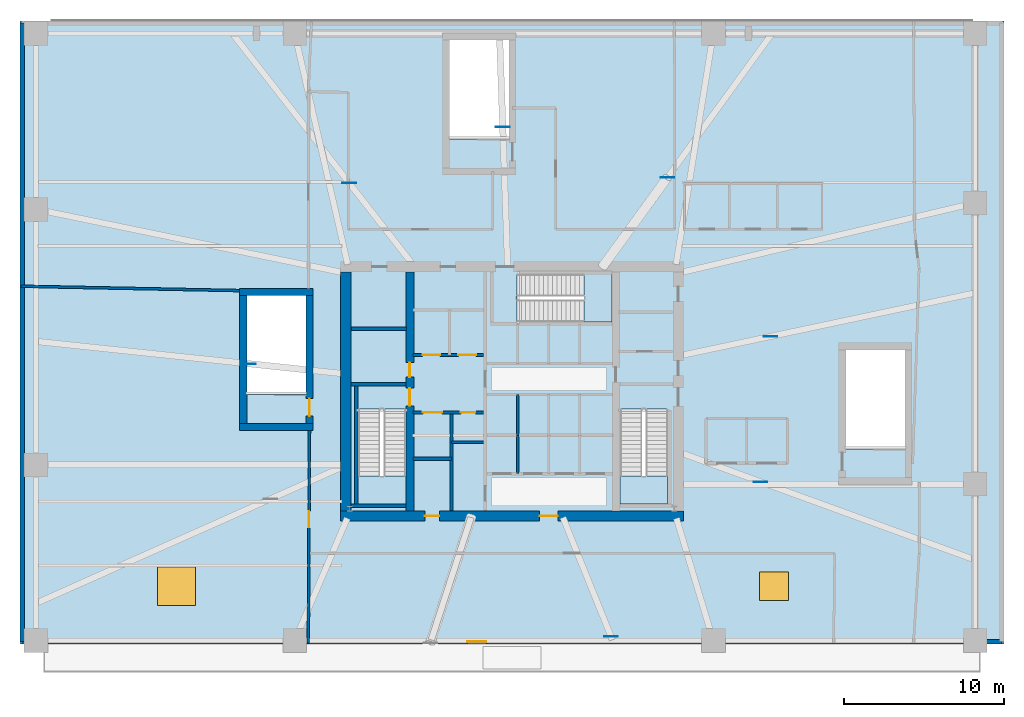
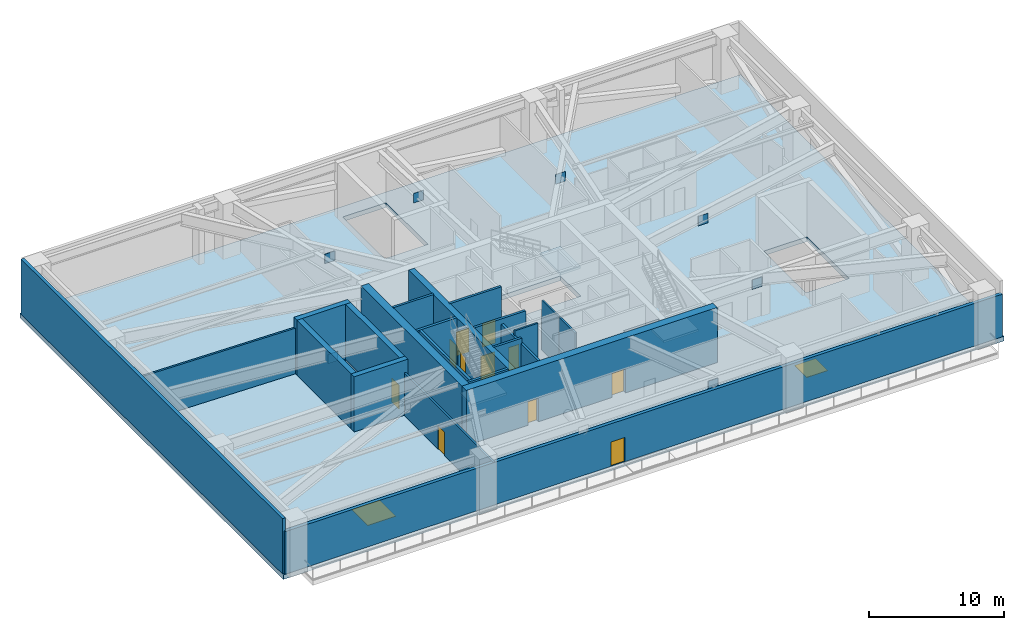
# One storey, part 4 of 10: 22 walls, 11 doors, 7 plates, 4 slabs, 2 windows, 13 openings, 3 elements without a shape of their own.
"""IFC4 building model written with IfcOpenShell, lengths in metres."""

from ifc_helpers import new_model, si_unit, direction, frame, frame_2d, origin, origin_2d, place, context, subcontext, project, spatial, polyline, rectangle, outline, extrude, material, layer, layer_set, type_object, element, fill, aggregate, save


model = new_model("IFC4")

# Units and contexts
model_context = context("Model", 3, precision=1e-05, world=origin(), true_north=direction((0.0, 1.0)))
body_context = subcontext(model_context, "Body", "Model", "MODEL_VIEW")
ifc_project = project(units=[si_unit("LENGTHUNIT", "METRE"), si_unit("AREAUNIT", "SQUARE_METRE"), si_unit("VOLUMEUNIT", "CUBIC_METRE"), si_unit("PLANEANGLEUNIT", "RADIAN"), si_unit("MASSUNIT", "GRAM", prefix="KILO")], contexts=[model_context])

# Site, building, storey
site_placement = place(None, origin())
site = spatial("IfcSite", under=ifc_project, at=site_placement, CompositionType="ELEMENT")
building_placement = place(site_placement, origin())
building = spatial("IfcBuilding", under=site, at=building_placement, Name="Qarnah Convention Tower", CompositionType="ELEMENT")
storey_placement = place(building_placement, frame((0.0, 0.0, 21.60009765625)))
storey = spatial("IfcBuildingStorey", under=building, at=storey_placement, Name="L04", CompositionType="ELEMENT", Elevation=21.60009765625)

# Plates
ifc_material_1 = material(Name="Structural steel S355JR", Category="steel")
ifc_layer_1 = layer(ifc_material_1, 0.031982421875)
ifc_layer_set_1 = layer_set([ifc_layer_1], Name="Structural steel S355JR")
plate_type = type_object("IfcPlateType", Name="PLT-GUSSET-32", PredefinedType="USERDEFINED", material=ifc_layer_set_1)
for number, where, z_axis, x_axis, name in (
    (1, (53.387939453125, 29.841064453125, 3.574951171875), (0.0, 0.0, 1.0), (1.0, 0.0, 0.0), "L04 transfer node gusset plate PC-Z1-01"),
    (2, (46.927978515625, 39.7890625, 3.574951171875), (0.0, 0.0, 1.0), (1.0, 0.0, 0.0), "L04 transfer node gusset plate PC-Z1-02"),
    (3, (36.6220703125, 42.93994140625, 3.574951171875), (0.0, 0.0, 1.0), (1.0, 0.0, 0.0), "L04 transfer node gusset plate PC-Z1-03"),
    (4, (27.010986328125, 39.44189453125, 3.574951171875), (0.0, 0.0, 1.0), (1.0, 0.0, 0.0), "L04 transfer node gusset plate PC-Z1-04"),
    (5, (20.740966796875, 28.1298828125, 3.574951171875), (0.0, 0.0, 1.0), (1.0, 0.0, 0.0), "L04 transfer node gusset plate PC-Z1-05"),
    (6, (43.39990234375, 11.054931640625, 3.574951171875), (0.0, 0.0, 1.0), (1.0, 0.0, 0.0), "L04 transfer node gusset plate PC-Z1-08"),
    (7, (52.751953125, 20.739990234375, 3.574951171875), (0.0, 0.0, 1.0), (1.0, 0.0, 0.0), "L04 transfer node gusset plate PC-Z1-09"),
):
    element("IfcPlate", number, at=place(storey_placement, frame(where, z_axis=z_axis, x_axis=x_axis)), inside=storey, type_object=plate_type, Name=name, ObjectType="GUSSET_PLATE", PredefinedType="USERDEFINED", context=body_context, shape_type="SweptSolid", body=[
        extrude(rectangle(XDim=0.85009765625, YDim=0.031982421875, at=origin_2d()), origin(), (0.0, 0.0, 1.0), 0.85009765625),
    ])

# Stair, slab
ifc_material_2 = material(Name="Concrete C50/60", Category="concrete")
stair_type = type_object("IfcStairType", Name="STR-POD", PredefinedType="HALF_TURN_STAIR", material=ifc_material_2)
stair_1_placement = place(storey_placement, origin())
stair_1 = element("IfcStair", 8, at=stair_1_placement, inside=storey, type_object=stair_type, Name="L04 Core exit stair ST-1", PredefinedType="HALF_TURN_STAIR")
ifc_layer_2 = layer(ifc_material_2, 0.199951171875)
ifc_layer_set_2 = layer_set([ifc_layer_2], Name="Concrete C50/60")
slab_type_1 = type_object("IfcSlabType", Name="SLB-LANDING-200", PredefinedType="LANDING", material=ifc_layer_set_2)
slab_1_placement = place(storey_placement, frame((0.0, 0.0, 2.5)))
slab_1 = element("IfcSlab", 9, at=slab_1_placement, type_object=slab_type_1, Name="ST-1 landing 1", PredefinedType="LANDING", context=body_context, shape_type="SweptSolid", body=[
    extrude(outline(polyline([(27.550048828125, 21.10009765625), (27.550048828125, 19.35009765625), (30.550048828125, 19.35009765625), (30.550048828125, 21.10009765625), (27.550048828125, 21.10009765625)])), origin(), (0.0, 0.0, 1.0), 0.199951171875),
])
aggregate(stair_1, [slab_1])

stair_2_placement = place(storey_placement, origin())
stair_2 = element("IfcStair", 10, at=stair_2_placement, inside=storey, type_object=stair_type, Name="L04 Core exit stair ST-2", PredefinedType="HALF_TURN_STAIR")
slab_2_placement = place(storey_placement, frame((0.0, 0.0, 2.5)))
slab_2 = element("IfcSlab", 11, at=slab_2_placement, type_object=slab_type_1, Name="ST-2 landing 1", PredefinedType="LANDING", context=body_context, shape_type="SweptSolid", body=[
    extrude(outline(polyline([(43.949951171875, 21.10009765625), (43.949951171875, 19.35009765625), (46.949951171875, 19.35009765625), (46.949951171875, 21.10009765625), (43.949951171875, 21.10009765625)])), origin(), (0.0, 0.0, 1.0), 0.199951171875),
])
aggregate(stair_2, [slab_2])

stair_3_placement = place(storey_placement, origin())
stair_3 = element("IfcStair", 12, at=stair_3_placement, inside=storey, type_object=stair_type, Name="L04 Core exit stair ST-3", PredefinedType="HALF_TURN_STAIR")
slab_3_placement = place(storey_placement, frame((0.0, 0.0, 2.5)))
slab_3 = element("IfcSlab", 13, at=slab_3_placement, type_object=slab_type_1, Name="ST-3 landing 1", PredefinedType="LANDING", context=body_context, shape_type="SweptSolid", body=[
    extrude(outline(polyline([(41.699951171875, 30.75), (43.449951171875, 30.75), (43.449951171875, 33.75), (41.699951171875, 33.75), (41.699951171875, 30.75)])), origin(), (0.0, 0.0, 1.0), 0.199951171875),
])
aggregate(stair_3, [slab_3])

# Slab, openings, windows
ifc_layer_3 = layer(ifc_material_2, 0.419921875)
ifc_layer_set_3 = layer_set([ifc_layer_3], Name="Concrete C50/60")
slab_type_2 = type_object("IfcSlabType", Name="SLB-TRF-420", PredefinedType="FLOOR", material=ifc_layer_set_3)
slab_4_placement = place(storey_placement, frame((0.0, 0.0, -0.420166015625)))
slab_4 = element("IfcSlab", 14, at=slab_4_placement, inside=storey, type_object=slab_type_2, Name="L04 structural floor slab", PredefinedType="FLOOR", context=body_context, shape_type="SweptSolid", body=[
    extrude(outline(polyline([(6.39990234375, 10.60009765625), (68.0, 10.60009765625), (68.0, 49.60009765625), (6.39990234375, 49.60009765625), (6.39990234375, 10.60009765625)]), holes=[polyline([(27.550048828125, 25.300048828125), (27.550048828125, 19.35009765625), (30.550048828125, 19.35009765625), (30.550048828125, 25.300048828125), (27.550048828125, 25.300048828125)]), polyline([(43.949951171875, 25.300048828125), (43.949951171875, 19.35009765625), (46.949951171875, 19.35009765625), (46.949951171875, 25.300048828125), (43.949951171875, 25.300048828125)]), polyline([(37.5, 30.75), (43.449951171875, 30.75), (43.449951171875, 33.75), (37.5, 33.75), (37.5, 30.75)]), polyline([(61.800048828125, 22.800048828125), (61.800048828125, 29.0), (58.10009765625, 29.0), (58.10009765625, 22.800048828125), (61.800048828125, 22.800048828125)]), polyline([(24.300048828125, 26.199951171875), (24.300048828125, 32.39990234375), (20.60009765625, 32.39990234375), (20.60009765625, 26.199951171875), (24.300048828125, 26.199951171875)]), polyline([(37.0, 42.199951171875), (37.0, 48.39990234375), (33.300048828125, 48.39990234375), (33.300048828125, 42.199951171875), (37.0, 42.199951171875)])]), origin(), (0.0, 0.0, 1.0), 0.420166015625),
])
opening_1_placement = place(slab_4_placement, frame((16.199951171875, 14.199951171875, 0.0)))
opening_1 = element("IfcOpeningElement", 15, at=opening_1_placement, cuts=slab_4, Name="Opening SK1", PredefinedType="OPENING", context=body_context, shape_type="SweptSolid", body=[
    extrude(rectangle(XDim=2.39990234375, YDim=2.39990234375, at=origin_2d()), origin(), (0.0, 0.0, 1.0), 0.420166015625),
])
opening_2_placement = place(slab_4_placement, frame((53.60009765625, 14.199951171875, 0.0)))
opening_2 = element("IfcOpeningElement", 16, at=opening_2_placement, cuts=slab_4, Name="Opening SK2", PredefinedType="OPENING", context=body_context, shape_type="SweptSolid", body=[
    extrude(rectangle(XDim=1.800048828125, YDim=1.800048828125, at=origin_2d()), origin(), (0.0, 0.0, 1.0), 0.420166015625),
])
ifc_material_3 = material(Name="Tempered Low-E dark glass", Category="glass")
window_type_1 = type_object("IfcWindowType", Name="WT-SKY-1800X1800", PartitioningType="SINGLE_PANEL", PredefinedType="SKYLIGHT", material=ifc_material_3)
window_1_placement = place(opening_2_placement, frame((0.0, 0.0, 0.3701171875)))
window_1 = element("IfcWindow", 17, at=window_1_placement, inside=storey, type_object=window_type_1, Name="L04 podium foyer skylight 2", OverallHeight=1.800048828125, OverallWidth=1.800048828125, PartitioningType="SINGLE_PANEL", PredefinedType="SKYLIGHT", context=body_context, shape_type="SweptSolid", body=[
    extrude(rectangle(XDim=1.800048828125, YDim=1.800048828125, at=origin_2d()), origin(), (0.0, 0.0, 1.0), 0.050048828125),
])
fill(opening_2, window_1)
window_type_2 = type_object("IfcWindowType", Name="WT-SKY-2400X2400", PartitioningType="SINGLE_PANEL", PredefinedType="SKYLIGHT", material=ifc_material_3)
window_2_placement = place(opening_1_placement, frame((0.0, 0.0, 0.3701171875)))
window_2 = element("IfcWindow", 18, at=window_2_placement, inside=storey, type_object=window_type_2, Name="L04 podium foyer skylight 1", OverallHeight=2.39990234375, OverallWidth=2.39990234375, PartitioningType="SINGLE_PANEL", PredefinedType="SKYLIGHT", context=body_context, shape_type="SweptSolid", body=[
    extrude(rectangle(XDim=2.39990234375, YDim=2.39990234375, at=origin_2d()), origin(), (0.0, 0.0, 1.0), 0.050048828125),
])
fill(opening_1, window_2)

# Wall, openings, doors
ifc_material_4 = material(Name="Concrete C60/75", Category="concrete")
ifc_layer_4 = layer(ifc_material_4, 0.64990234375)
ifc_layer_set_4 = layer_set([ifc_layer_4], Name="Concrete C60/75")
wall_type_1 = type_object("IfcWallType", Name="WL-CORE-650", PredefinedType="SHEAR", material=ifc_layer_set_4)
wall_1_placement = place(storey_placement, frame((26.47509765625, 18.60009765625, 0.0), z_axis=(0.0, 0.0, 1.0), x_axis=(1.0, 0.0, 0.0)))
wall_1 = element("IfcWall", 19, at=wall_1_placement, inside=storey, type_object=wall_type_1, Name="L04 core south shear wall", PredefinedType="SHEAR", context=body_context, shape_type="SweptSolid", body=[
    extrude(rectangle(XDim=21.449951171875, YDim=0.64990234375, at=frame_2d((10.72509765625, 0.0))), origin(), (0.0, 0.0, 1.0), 4.97998046875),
])
opening_3_placement = place(wall_1_placement, frame((12.449951171875, 0.0, 0.0)))
opening_3 = element("IfcOpeningElement", 20, at=opening_3_placement, cuts=wall_1, Name="Opening D-0407", PredefinedType="OPENING", context=body_context, shape_type="SweptSolid", body=[
    extrude(rectangle(XDim=1.14990234375, YDim=2.14990234375, at=frame_2d((0.574951171875, 1.074951171875))), frame((0.0, 0.3349609375, 0.0), z_axis=(0.0, -1.0, 0.0), x_axis=(1.0, 0.0, 0.0)), (0.0, 0.0, 1.0), 0.669921875),
])
opening_4_placement = place(wall_1_placement, frame((5.27490234375, 0.0, 0.0)))
opening_4 = element("IfcOpeningElement", 21, at=opening_4_placement, cuts=wall_1, Name="Opening D-0413", PredefinedType="OPENING", context=body_context, shape_type="SweptSolid", body=[
    extrude(rectangle(XDim=0.89990234375, YDim=2.10009765625, at=frame_2d((0.449951171875, 1.050048828125))), frame((0.0, 0.3349609375, 0.0), z_axis=(0.0, -1.0, 0.0), x_axis=(1.0, 0.0, 0.0)), (0.0, 0.0, 1.0), 0.669921875),
])
door_type_1 = type_object("IfcDoorType", Name="DT-LOBBY-1150", OperationType="NOTDEFINED", PredefinedType="DOOR", material=ifc_material_1)
door_1_placement = place(opening_3_placement, origin())
door_1 = element("IfcDoor", 22, at=door_1_placement, inside=storey, type_object=door_type_1, Name="Door D-0407", OperationType="SINGLE_SWING_RIGHT", OverallHeight=2.14990234375, OverallWidth=1.14990234375, PredefinedType="DOOR", context=body_context, shape_type="SweptSolid", body=[
    extrude(rectangle(XDim=1.14990234375, YDim=2.14990234375, at=frame_2d((0.574951171875, 1.074951171875))), frame((0.0, 0.02490234375, 0.0), z_axis=(0.0, -1.0, 0.0), x_axis=(1.0, 0.0, 0.0)), (0.0, 0.0, 1.0), 0.050048828125),
])
fill(opening_3, door_1)
door_type_2 = type_object("IfcDoorType", Name="DT-RISER-900", OperationType="NOTDEFINED", PredefinedType="DOOR", material=ifc_material_1)
door_2_placement = place(opening_4_placement, origin())
door_2 = element("IfcDoor", 23, at=door_2_placement, inside=storey, type_object=door_type_2, Name="Door D-0413", OperationType="SINGLE_SWING_RIGHT", OverallHeight=2.10009765625, OverallWidth=0.89990234375, PredefinedType="DOOR", context=body_context, shape_type="SweptSolid", body=[
    extrude(rectangle(XDim=0.89990234375, YDim=2.10009765625, at=frame_2d((0.449951171875, 1.050048828125))), frame((0.0, 0.02490234375, 0.0), z_axis=(0.0, -1.0, 0.0), x_axis=(1.0, 0.0, 0.0)), (0.0, 0.0, 1.0), 0.050048828125),
])
fill(opening_4, door_2)

# Wall
wall_2_placement = place(storey_placement, frame((26.800048828125, 18.925048828125, 0.0), z_axis=(0.0, 0.0, 1.0), x_axis=(0.0, 1.0, 0.0)))
element("IfcWall", 24, at=wall_2_placement, inside=storey, type_object=wall_type_1, Name="L04 core west shear wall", PredefinedType="SHEAR", context=body_context, shape_type="SweptSolid", body=[
    extrude(rectangle(XDim=14.949951171875, YDim=0.64990234375, at=frame_2d((7.47509765625, 0.0))), origin(), (0.0, 0.0, 1.0), 4.97998046875),
])

# Wall, openings, doors
ifc_layer_5 = layer(ifc_material_4, 0.5)
ifc_layer_set_5 = layer_set([ifc_layer_5], Name="Concrete C60/75")
wall_type_2 = type_object("IfcWallType", Name="WL-CORE-INT-400", PredefinedType="SHEAR", material=ifc_layer_set_5)
wall_3_placement = place(storey_placement, frame((30.800048828125, 18.925048828125, 0.0), z_axis=(0.0, 0.0, 1.0), x_axis=(0.0, 1.0, 0.0)))
wall_3 = element("IfcWall", 25, at=wall_3_placement, inside=storey, type_object=wall_type_2, Name="L04 core west spine shear wall", PredefinedType="SHEAR", context=body_context, shape_type="SweptSolid", body=[
    extrude(rectangle(XDim=14.949951171875, YDim=0.5, at=frame_2d((7.47509765625, 0.0))), origin(), (0.0, 0.0, 1.0), 4.97998046875),
])
opening_5_placement = place(wall_3_placement, frame((6.574951171875, 0.0, 0.0)))
opening_5 = element("IfcOpeningElement", 26, at=opening_5_placement, cuts=wall_3, Name="Opening D-0401", PredefinedType="OPENING", context=body_context, shape_type="SweptSolid", body=[
    extrude(rectangle(XDim=1.10009765625, YDim=2.14990234375, at=frame_2d((0.550048828125, 1.074951171875))), frame((0.0, 0.260009765625, 0.0), z_axis=(0.0, -1.0, 0.0), x_axis=(1.0, 0.0, 0.0)), (0.0, 0.0, 1.0), 0.52001953125),
])
opening_6_placement = place(wall_3_placement, frame((8.375, 0.0, 0.0)))
opening_6 = element("IfcOpeningElement", 27, at=opening_6_placement, cuts=wall_3, Name="Opening D-0408", PredefinedType="OPENING", context=body_context, shape_type="SweptSolid", body=[
    extrude(rectangle(XDim=0.89990234375, YDim=2.10009765625, at=frame_2d((0.449951171875, 1.050048828125))), frame((0.0, 0.260009765625, 0.0), z_axis=(0.0, -1.0, 0.0), x_axis=(1.0, 0.0, 0.0)), (0.0, 0.0, 1.0), 0.52001953125),
])
door_3_placement = place(opening_6_placement, origin())
door_3 = element("IfcDoor", 28, at=door_3_placement, inside=storey, type_object=door_type_2, Name="Door D-0408", OperationType="SINGLE_SWING_LEFT", OverallHeight=2.10009765625, OverallWidth=0.89990234375, PredefinedType="DOOR", context=body_context, shape_type="SweptSolid", body=[
    extrude(rectangle(XDim=0.89990234375, YDim=2.10009765625, at=frame_2d((0.449951171875, 1.050048828125))), frame((0.0, 0.02490234375, 0.0), z_axis=(0.0, -1.0, 0.0), x_axis=(1.0, 0.0, 0.0)), (0.0, 0.0, 1.0), 0.050048828125),
])
fill(opening_6, door_3)
door_type_3 = type_object("IfcDoorType", Name="DT-STAIR-1100", OperationType="NOTDEFINED", PredefinedType="DOOR", material=ifc_material_1)
door_4_placement = place(opening_5_placement, origin())
door_4 = element("IfcDoor", 29, at=door_4_placement, inside=storey, type_object=door_type_3, Name="Door D-0401", OperationType="SINGLE_SWING_RIGHT", OverallHeight=2.14990234375, OverallWidth=1.10009765625, PredefinedType="DOOR", context=body_context, shape_type="SweptSolid", body=[
    extrude(rectangle(XDim=1.10009765625, YDim=2.14990234375, at=frame_2d((0.550048828125, 1.074951171875))), frame((0.0, 0.02490234375, 0.0), z_axis=(0.0, -1.0, 0.0), x_axis=(1.0, 0.0, 0.0)), (0.0, 0.0, 1.0), 0.050048828125),
])
fill(opening_5, door_4)

# Wall
ifc_material_5 = material(Name="Concrete C45/55", Category="concrete")
ifc_layer_6 = layer(ifc_material_5, 0.199951171875)
ifc_layer_set_6 = layer_set([ifc_layer_6], Name="Concrete C45/55")
wall_type_3 = type_object("IfcWallType", Name="WL-CORE-PART-200", PredefinedType="SOLIDWALL", material=ifc_layer_set_6)
wall_4_placement = place(storey_placement, frame((27.14990234375, 30.320068359375, 0.0), z_axis=(0.0, 0.0, 1.0), x_axis=(1.0, 0.0, 0.0)))
element("IfcWall", 30, at=wall_4_placement, inside=storey, type_object=wall_type_3, Name="L04 interior wall IW-L04-ELRN", PredefinedType="SOLIDWALL", context=body_context, shape_type="SweptSolid", body=[
    extrude(rectangle(XDim=3.4501953125, YDim=0.199951171875, at=frame_2d((1.72509765625, 0.0))), origin(), (0.0, 0.0, 1.0), 4.97998046875),
])

# Wall, openings, doors
wall_5_placement = place(storey_placement, frame((31.0, 28.679931640625, 0.0), z_axis=(0.0, 0.0, 1.0), x_axis=(1.0, 0.0, 0.0)))
wall_5 = element("IfcWall", 31, at=wall_5_placement, inside=storey, type_object=wall_type_3, Name="L04 interior wall IW-L04-FFLS", PredefinedType="SOLIDWALL", context=body_context, shape_type="SweptSolid", body=[
    extrude(rectangle(XDim=4.419921875, YDim=0.199951171875, at=frame_2d((2.2099609375, 0.0))), origin(), (0.0, 0.0, 1.0), 4.97998046875),
])
opening_7_placement = place(wall_5_placement, frame((0.60009765625, 0.0, 0.0)))
opening_7 = element("IfcOpeningElement", 32, at=opening_7_placement, cuts=wall_5, Name="Opening LD-0401", PredefinedType="OPENING", context=body_context, shape_type="SweptSolid", body=[
    extrude(rectangle(XDim=1.10009765625, YDim=2.14990234375, at=frame_2d((0.550048828125, 1.074951171875))), frame((0.0, 0.10986328125, 0.0), z_axis=(0.0, -1.0, 0.0), x_axis=(1.0, 0.0, 0.0)), (0.0, 0.0, 1.0), 0.219970703125),
])
opening_8_placement = place(wall_5_placement, frame((2.85009765625, 0.0, 0.0)))
opening_8 = element("IfcOpeningElement", 33, at=opening_8_placement, cuts=wall_5, Name="Opening LD-0402", PredefinedType="OPENING", context=body_context, shape_type="SweptSolid", body=[
    extrude(rectangle(XDim=1.10009765625, YDim=2.14990234375, at=frame_2d((0.550048828125, 1.074951171875))), frame((0.0, 0.10986328125, 0.0), z_axis=(0.0, -1.0, 0.0), x_axis=(1.0, 0.0, 0.0)), (0.0, 0.0, 1.0), 0.219970703125),
])
door_type_4 = type_object("IfcDoorType", Name="DT-LIFT-1100", OperationType="SLIDING_TO_LEFT", PredefinedType="DOOR", material=ifc_material_1)
door_5_placement = place(opening_7_placement, origin())
door_5 = element("IfcDoor", 34, at=door_5_placement, inside=storey, type_object=door_type_4, Name="Door LD-0401", OperationType="SLIDING_TO_LEFT", OverallHeight=2.14990234375, OverallWidth=1.10009765625, PredefinedType="DOOR", context=body_context, shape_type="SweptSolid", body=[
    extrude(rectangle(XDim=1.10009765625, YDim=2.14990234375, at=frame_2d((0.550048828125, 1.074951171875))), frame((0.0, 0.02490234375, 0.0), z_axis=(0.0, -1.0, 0.0), x_axis=(1.0, 0.0, 0.0)), (0.0, 0.0, 1.0), 0.050048828125),
])
fill(opening_7, door_5)
door_6_placement = place(opening_8_placement, origin())
door_6 = element("IfcDoor", 35, at=door_6_placement, inside=storey, type_object=door_type_4, Name="Door LD-0402", OperationType="SLIDING_TO_LEFT", OverallHeight=2.14990234375, OverallWidth=1.10009765625, PredefinedType="DOOR", context=body_context, shape_type="SweptSolid", body=[
    extrude(rectangle(XDim=1.10009765625, YDim=2.14990234375, at=frame_2d((0.550048828125, 1.074951171875))), frame((0.0, 0.02490234375, 0.0), z_axis=(0.0, -1.0, 0.0), x_axis=(1.0, 0.0, 0.0)), (0.0, 0.0, 1.0), 0.050048828125),
])
fill(opening_8, door_6)

wall_6_placement = place(storey_placement, frame((31.0, 25.080078125, 0.0), z_axis=(0.0, 0.0, 1.0), x_axis=(1.0, 0.0, 0.0)))
wall_6 = element("IfcWall", 36, at=wall_6_placement, inside=storey, type_object=wall_type_3, Name="L04 interior wall IW-L04-FFLBS", PredefinedType="SOLIDWALL", context=body_context, shape_type="SweptSolid", body=[
    extrude(rectangle(XDim=4.419921875, YDim=0.199951171875, at=frame_2d((2.2099609375, 0.0))), origin(), (0.0, 0.0, 1.0), 4.97998046875),
])
opening_9_placement = place(wall_6_placement, frame((3.0, 0.0, 0.0)))
opening_9 = element("IfcOpeningElement", 37, at=opening_9_placement, cuts=wall_6, Name="Opening D-0415", PredefinedType="OPENING", context=body_context, shape_type="SweptSolid", body=[
    extrude(rectangle(XDim=0.89990234375, YDim=2.10009765625, at=frame_2d((0.449951171875, 1.050048828125))), frame((0.0, 0.10986328125, 0.0), z_axis=(0.0, -1.0, 0.0), x_axis=(1.0, 0.0, 0.0)), (0.0, 0.0, 1.0), 0.219970703125),
])
opening_10_placement = place(wall_6_placement, frame((0.6201171875, 0.0, 0.0)))
opening_10 = element("IfcOpeningElement", 38, at=opening_10_placement, cuts=wall_6, Name="Opening LD-0403", PredefinedType="OPENING", context=body_context, shape_type="SweptSolid", body=[
    extrude(rectangle(XDim=1.199951171875, YDim=2.14990234375, at=frame_2d((0.60009765625, 1.074951171875))), frame((0.0, 0.10986328125, 0.0), z_axis=(0.0, -1.0, 0.0), x_axis=(1.0, 0.0, 0.0)), (0.0, 0.0, 1.0), 0.219970703125),
])
door_type_5 = type_object("IfcDoorType", Name="DT-LIFT-1200", OperationType="SLIDING_TO_LEFT", PredefinedType="DOOR", material=ifc_material_1)
door_7_placement = place(opening_10_placement, origin())
door_7 = element("IfcDoor", 39, at=door_7_placement, inside=storey, type_object=door_type_5, Name="Door LD-0403", OperationType="SLIDING_TO_LEFT", OverallHeight=2.14990234375, OverallWidth=1.199951171875, PredefinedType="DOOR", context=body_context, shape_type="SweptSolid", body=[
    extrude(rectangle(XDim=1.199951171875, YDim=2.14990234375, at=frame_2d((0.60009765625, 1.074951171875))), frame((0.0, 0.02490234375, 0.0), z_axis=(0.0, -1.0, 0.0), x_axis=(1.0, 0.0, 0.0)), (0.0, 0.0, 1.0), 0.050048828125),
])
fill(opening_10, door_7)
door_8_placement = place(opening_9_placement, origin())
door_8 = element("IfcDoor", 40, at=door_8_placement, inside=storey, type_object=door_type_2, Name="Door D-0415", OperationType="SINGLE_SWING_RIGHT", OverallHeight=2.10009765625, OverallWidth=0.89990234375, PredefinedType="DOOR", context=body_context, shape_type="SweptSolid", body=[
    extrude(rectangle(XDim=0.89990234375, YDim=2.10009765625, at=frame_2d((0.449951171875, 1.050048828125))), frame((0.0, 0.02490234375, 0.0), z_axis=(0.0, -1.0, 0.0), x_axis=(1.0, 0.0, 0.0)), (0.0, 0.0, 1.0), 0.050048828125),
])
fill(opening_9, door_8)

# Walls
wall_7_placement = place(storey_placement, frame((33.419921875, 18.949951171875, 0.0), z_axis=(0.0, 0.0, 1.0), x_axis=(0.0, 1.0, 0.0)))
element("IfcWall", 41, at=wall_7_placement, inside=storey, type_object=wall_type_3, Name="L04 interior wall IW-L04-SVLE", PredefinedType="SOLIDWALL", context=body_context, shape_type="SweptSolid", body=[
    extrude(rectangle(XDim=6.130126953125, YDim=0.199951171875, at=frame_2d((3.06494140625, 0.0))), origin(), (0.0, 0.0, 1.0), 4.5009765625),
])
wall_8_placement = place(storey_placement, frame((31.0, 22.179931640625, 0.0), z_axis=(0.0, 0.0, 1.0), x_axis=(1.0, 0.0, 0.0)))
element("IfcWall", 42, at=wall_8_placement, inside=storey, type_object=wall_type_3, Name="L04 interior wall IW-L04-SVLS", PredefinedType="SOLIDWALL", context=body_context, shape_type="SweptSolid", body=[
    extrude(rectangle(XDim=2.419921875, YDim=0.199951171875, at=frame_2d((1.2099609375, 0.0))), origin(), (0.0, 0.0, 1.0), 4.97998046875),
])
ifc_layer_7 = layer(ifc_material_4, 0.219970703125)
ifc_layer_set_7 = layer_set([ifc_layer_7], Name="Concrete C60/75")
wall_type_4 = type_object("IfcWallType", Name="WL-CORE-STAIR-220", PredefinedType="SHEAR", material=ifc_layer_set_7)
wall_9_placement = place(storey_placement, frame((27.125, 26.860107421875, 0.0), z_axis=(0.0, 0.0, 1.0), x_axis=(1.0, 0.0, 0.0)))
element("IfcWall", 43, at=wall_9_placement, inside=storey, type_object=wall_type_4, Name="L04 stair shaft shear wall SW-L04-ST1N", PredefinedType="SHEAR", context=body_context, shape_type="SweptSolid", body=[
    extrude(rectangle(XDim=3.425048828125, YDim=0.219970703125, at=frame_2d((1.71240234375, 0.0))), origin(), (0.0, 0.0, 1.0), 4.97998046875),
])
wall_10_placement = place(storey_placement, frame((27.43994140625, 19.35009765625, 0.0), z_axis=(0.0, 0.0, 1.0), x_axis=(0.0, 1.0, 0.0)))
element("IfcWall", 44, at=wall_10_placement, inside=storey, type_object=wall_type_4, Name="L04 stair shaft shear wall SW-L04-ST1W", PredefinedType="SHEAR", context=body_context, shape_type="SweptSolid", body=[
    extrude(rectangle(XDim=7.39990234375, YDim=0.219970703125, at=frame_2d((3.699951171875, 0.0))), origin(), (0.0, 0.0, 1.0), 4.97998046875),
])
wall_11_placement = place(storey_placement, frame((27.125, 19.239990234375, 0.0), z_axis=(0.0, 0.0, 1.0), x_axis=(1.0, 0.0, 0.0)))
element("IfcWall", 45, at=wall_11_placement, inside=storey, type_object=wall_type_4, Name="L04 stair shaft shear wall SW-L04-ST1S", PredefinedType="SHEAR", context=body_context, shape_type="SweptSolid", body=[
    extrude(rectangle(XDim=3.425048828125, YDim=0.219970703125, at=frame_2d((1.71240234375, 0.0))), origin(), (0.0, 0.0, 1.0), 4.97998046875),
])

# Wall, opening, door
ifc_material_6 = material(Name="Gypsum partition board")
ifc_layer_8 = layer(ifc_material_6, 0.159912109375)
ifc_layer_set_8 = layer_set([ifc_layer_8], Name="Gypsum partition board")
wall_type_5 = type_object("IfcWallType", Name="WL-CORR-160", PredefinedType="PARTITIONING", material=ifc_layer_set_8)
wall_12_placement = place(storey_placement, frame((24.449951171875, 10.662109375, 0.0), z_axis=(0.0, 0.0, 1.0), x_axis=(0.005455756726, 0.999985117249, 0.0)))
wall_12 = element("IfcWall", 46, at=wall_12_placement, inside=storey, type_object=wall_type_5, Name="L04 interior wall IW-L04-R-11", PredefinedType="PARTITIONING", context=body_context, shape_type="SweptSolid", body=[
    extrude(rectangle(XDim=13.738037109375, YDim=0.159912109375, at=frame_2d((6.869140625, 0.0))), origin(), (0.0, 0.0, 1.0), 3.846923828125),
])
opening_11_placement = place(wall_12_placement, frame((7.2451171875, 0.0, 0.0)))
opening_11 = element("IfcOpeningElement", 47, at=opening_11_placement, cuts=wall_12, Name="Opening D-0422", PredefinedType="OPENING", context=body_context, shape_type="SweptSolid", body=[
    extrude(rectangle(XDim=1.0, YDim=2.14990234375, at=frame_2d((0.5, 1.074951171875))), frame((0.0, 0.08984375, 0.0), z_axis=(0.0, -1.0, 0.0), x_axis=(1.0, 0.0, 0.0)), (0.0, 0.0, 1.0), 0.179931640625),
])
ifc_material_7 = material(Name="Oak timber veneer", Category="wood")
door_type_6 = type_object("IfcDoorType", Name="DT-OFFICE-1000", OperationType="NOTDEFINED", PredefinedType="DOOR", material=ifc_material_7)
door_9_placement = place(opening_11_placement, origin())
door_9 = element("IfcDoor", 48, at=door_9_placement, inside=storey, type_object=door_type_6, Name="Door D-0422", OperationType="SINGLE_SWING_LEFT", OverallHeight=2.14990234375, OverallWidth=1.0, PredefinedType="DOOR", context=body_context, shape_type="SweptSolid", body=[
    extrude(rectangle(XDim=1.0, YDim=2.14990234375, at=frame_2d((0.5, 1.074951171875))), frame((0.0, 0.02490234375, 0.0), z_axis=(0.0, -1.0, 0.0), x_axis=(1.0, 0.0, 0.0)), (0.0, 0.0, 1.0), 0.050048828125),
])
fill(opening_11, door_9)

# Wall
wall_13_placement = place(storey_placement, frame((20.14990234375, 32.7099609375, 0.0), z_axis=(0.0, 0.0, 1.0), x_axis=(-0.999800773201, 0.019960308294, 0.0)))
element("IfcWall", 49, at=wall_13_placement, inside=storey, type_object=wall_type_5, Name="L04 interior wall IW-L04-R-12", PredefinedType="PARTITIONING", context=body_context, shape_type="SweptSolid", body=[
    extrude(rectangle(XDim=13.674560546875, YDim=0.159912109375, at=frame_2d((6.83740234375, 0.0))), origin(), (0.0, 0.0, 1.0), 4.120849609375),
])

# Wall, opening, door
ifc_material_8 = material(Name="Precast concrete C45/55", Category="concrete")
ifc_layer_9 = layer(ifc_material_8, 0.280029296875)
ifc_layer_set_9 = layer_set([ifc_layer_9], Name="Precast concrete C45/55")
wall_type_6 = type_object("IfcWallType", Name="WL-EXT-POD-280", PredefinedType="SOLIDWALL", material=ifc_layer_set_9)
wall_14_placement = place(storey_placement, frame((67.860107421875, 10.739990234375, 0.0), z_axis=(0.0, 0.0, 1.0), x_axis=(-1.0, 0.0, 0.0)))
wall_14 = element("IfcWall", 50, at=wall_14_placement, inside=storey, type_object=wall_type_6, Name="L04 precast facade wall S", PredefinedType="SOLIDWALL", context=body_context, shape_type="SweptSolid", body=[
    extrude(rectangle(XDim=61.320068359375, YDim=0.280029296875, at=frame_2d((30.66015625, 0.0))), origin(), (0.0, 0.0, 1.0), 3.846923828125),
])
opening_12_placement = place(wall_14_placement, frame((32.260009765625, 0.0, 0.0)))
opening_12 = element("IfcOpeningElement", 51, at=opening_12_placement, cuts=wall_14, Name="Opening TD-0401", PredefinedType="OPENING", context=body_context, shape_type="SweptSolid", body=[
    extrude(rectangle(XDim=1.199951171875, YDim=2.199951171875, at=frame_2d((0.60009765625, 1.10009765625))), frame((0.0, 0.14990234375, 0.0), z_axis=(0.0, -1.0, 0.0), x_axis=(1.0, 0.0, 0.0)), (0.0, 0.0, 1.0), 0.300048828125),
])
ifc_material_9 = material(Name="Black anodised aluminium", Category="aluminium")
door_type_7 = type_object("IfcDoorType", Name="DT-TER-1200", OperationType="NOTDEFINED", PredefinedType="DOOR", material=ifc_material_9)
door_10_placement = place(opening_12_placement, origin())
door_10 = element("IfcDoor", 52, at=door_10_placement, inside=storey, type_object=door_type_7, Name="L04 podium terrace access door", OperationType="SINGLE_SWING_RIGHT", OverallHeight=2.199951171875, OverallWidth=1.199951171875, PredefinedType="DOOR", context=body_context, shape_type="SweptSolid", body=[
    extrude(rectangle(XDim=1.199951171875, YDim=2.199951171875, at=frame_2d((0.60009765625, 1.10009765625))), frame((0.0, 0.02490234375, 0.0), z_axis=(0.0, -1.0, 0.0), x_axis=(1.0, 0.0, 0.0)), (0.0, 0.0, 1.0), 0.050048828125),
])
fill(opening_12, door_10)

# Walls
wall_15_placement = place(storey_placement, frame((6.5400390625, 10.739990234375, 0.0), z_axis=(0.0, 0.0, 1.0), x_axis=(0.0, 1.0, 0.0)))
element("IfcWall", 53, at=wall_15_placement, inside=storey, type_object=wall_type_6, Name="L04 precast facade wall W", PredefinedType="SOLIDWALL", context=body_context, shape_type="SweptSolid", body=[
    extrude(rectangle(XDim=38.719970703125, YDim=0.280029296875, at=frame_2d((19.35986328125, 0.0))), origin(), (0.0, 0.0, 1.0), 4.97998046875),
])
ifc_layer_10 = layer(ifc_material_4, 0.449951171875)
ifc_layer_set_10 = layer_set([ifc_layer_10], Name="Concrete C60/75")
wall_type_7 = type_object("IfcWallType", Name="WL-POD-CORE-450", PredefinedType="SHEAR", material=ifc_layer_set_10)
for number, where, z_axis, x_axis, name in (
    (54, (20.14990234375, 24.175048828125, 0.0), (0.0, 0.0, 1.0), (1.0, 0.0, 0.0), "L04 podium stair ST-5 south wall"),
    (55, (20.14990234375, 32.625, 0.0), (0.0, 0.0, 1.0), (1.0, 0.0, 0.0), "L04 podium stair ST-5 north wall"),
):
    element("IfcWall", number, at=place(storey_placement, frame(where, z_axis=z_axis, x_axis=x_axis)), inside=storey, type_object=wall_type_7, Name=name, PredefinedType="SHEAR", context=body_context, shape_type="SweptSolid", body=[
        extrude(rectangle(XDim=4.60009765625, YDim=0.449951171875, at=frame_2d((2.300048828125, 0.0))), origin(), (0.0, 0.0, 1.0), 4.97998046875),
    ])
wall_16_placement = place(storey_placement, frame((20.375, 24.39990234375, 0.0), z_axis=(0.0, 0.0, 1.0), x_axis=(0.0, 1.0, 0.0)))
element("IfcWall", 56, at=wall_16_placement, inside=storey, type_object=wall_type_7, Name="L04 podium stair ST-5 west wall", PredefinedType="SHEAR", context=body_context, shape_type="SweptSolid", body=[
    extrude(rectangle(XDim=8.0, YDim=0.449951171875, at=frame_2d((4.0, 0.0))), origin(), (0.0, 0.0, 1.0), 4.97998046875),
])

# Wall, opening, door
wall_17_placement = place(storey_placement, frame((24.52490234375, 24.39990234375, 0.0), z_axis=(0.0, 0.0, 1.0), x_axis=(0.0, 1.0, 0.0)))
wall_17 = element("IfcWall", 57, at=wall_17_placement, inside=storey, type_object=wall_type_7, Name="L04 podium stair ST-5 east wall", PredefinedType="SHEAR", context=body_context, shape_type="SweptSolid", body=[
    extrude(rectangle(XDim=8.0, YDim=0.449951171875, at=frame_2d((4.0, 0.0))), origin(), (0.0, 0.0, 1.0), 4.97998046875),
])
opening_13_placement = place(wall_17_placement, frame((0.449951171875, 0.0, 0.0)))
opening_13 = element("IfcOpeningElement", 58, at=opening_13_placement, cuts=wall_17, Name="Opening D-0417", PredefinedType="OPENING", context=body_context, shape_type="SweptSolid", body=[
    extrude(rectangle(XDim=1.10009765625, YDim=2.14990234375, at=frame_2d((0.550048828125, 1.074951171875))), frame((0.0, 0.23486328125, 0.0), z_axis=(0.0, -1.0, 0.0), x_axis=(1.0, 0.0, 0.0)), (0.0, 0.0, 1.0), 0.469970703125),
])
door_11_placement = place(opening_13_placement, origin())
door_11 = element("IfcDoor", 59, at=door_11_placement, inside=storey, type_object=door_type_3, Name="Door D-0417", OperationType="SINGLE_SWING_RIGHT", OverallHeight=2.14990234375, OverallWidth=1.10009765625, PredefinedType="DOOR", context=body_context, shape_type="SweptSolid", body=[
    extrude(rectangle(XDim=1.10009765625, YDim=2.14990234375, at=frame_2d((0.550048828125, 1.074951171875))), frame((0.0, 0.02490234375, 0.0), z_axis=(0.0, -1.0, 0.0), x_axis=(1.0, 0.0, 0.0)), (0.0, 0.0, 1.0), 0.050048828125),
])
fill(opening_13, door_11)

# Walls
ifc_layer_11 = layer(ifc_material_6, 0.14990234375)
ifc_layer_set_11 = layer_set([ifc_layer_11], Name="Gypsum partition board")
wall_type_8 = type_object("IfcWallType", Name="WL-SUITE-150", PredefinedType="PARTITIONING", material=ifc_layer_set_11)
wall_18_placement = place(storey_placement, frame((33.419921875, 23.219970703125, 0.0), z_axis=(0.0, 0.0, 1.0), x_axis=(1.0, 0.0, 0.0)))
element("IfcWall", 60, at=wall_18_placement, inside=storey, type_object=wall_type_8, Name="L04 interior wall IW-L04-CSV1", PredefinedType="PARTITIONING", context=body_context, shape_type="SweptSolid", body=[
    extrude(rectangle(XDim=2.0, YDim=0.14990234375, at=frame_2d((1.0, 0.0))), origin(), (0.0, 0.0, 1.0), 4.97998046875),
])
wall_19_placement = place(storey_placement, frame((37.550048828125, 23.64990234375, 0.0), z_axis=(0.0, 0.0, 1.0), x_axis=(0.0, 1.0, 0.0)))
element("IfcWall", 61, at=wall_19_placement, inside=storey, type_object=wall_type_8, Name="L04 interior wall IW-L04-PMD1", PredefinedType="PARTITIONING", context=body_context, shape_type="SweptSolid", body=[
    extrude(rectangle(XDim=2.550048828125, YDim=0.14990234375, at=frame_2d((1.27490234375, 0.0))), origin(), (0.0, 0.0, 1.0), 4.5009765625),
])
wall_20_placement = place(storey_placement, frame((37.550048828125, 21.25, 0.0), z_axis=(0.0, 0.0, 1.0), x_axis=(0.0, 1.0, 0.0)))
element("IfcWall", 62, at=wall_20_placement, inside=storey, type_object=wall_type_8, Name="L04 interior wall IW-L04-PLD1", PredefinedType="PARTITIONING", context=body_context, shape_type="SweptSolid", body=[
    extrude(rectangle(XDim=2.39990234375, YDim=0.14990234375, at=frame_2d((1.199951171875, 0.0))), origin(), (0.0, 0.0, 1.0), 4.5009765625),
])

save(model, "model.ifc")
